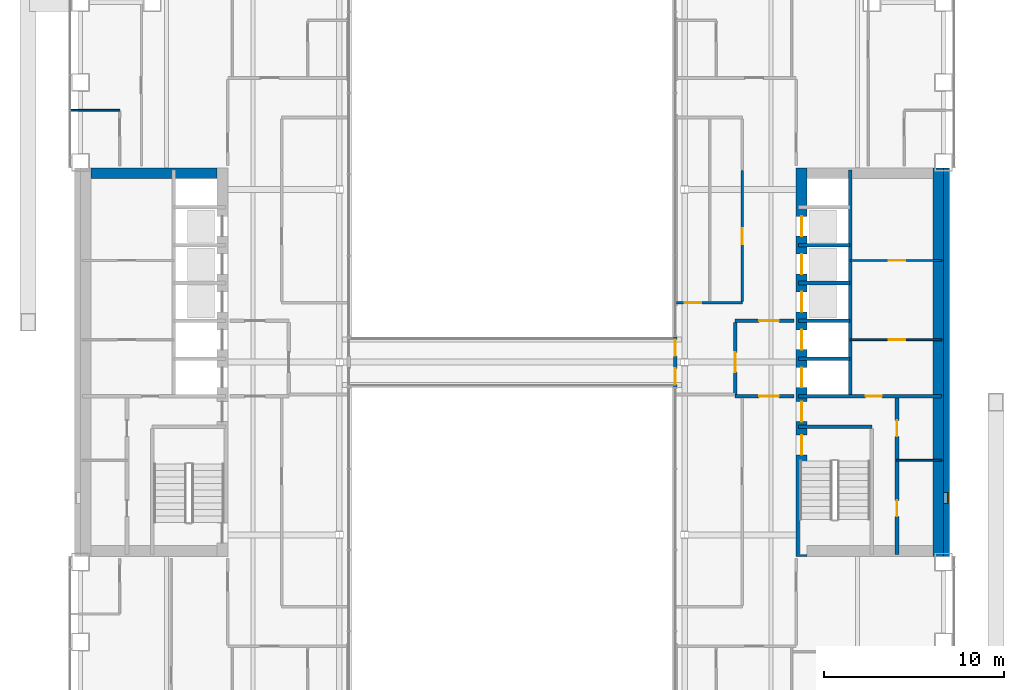
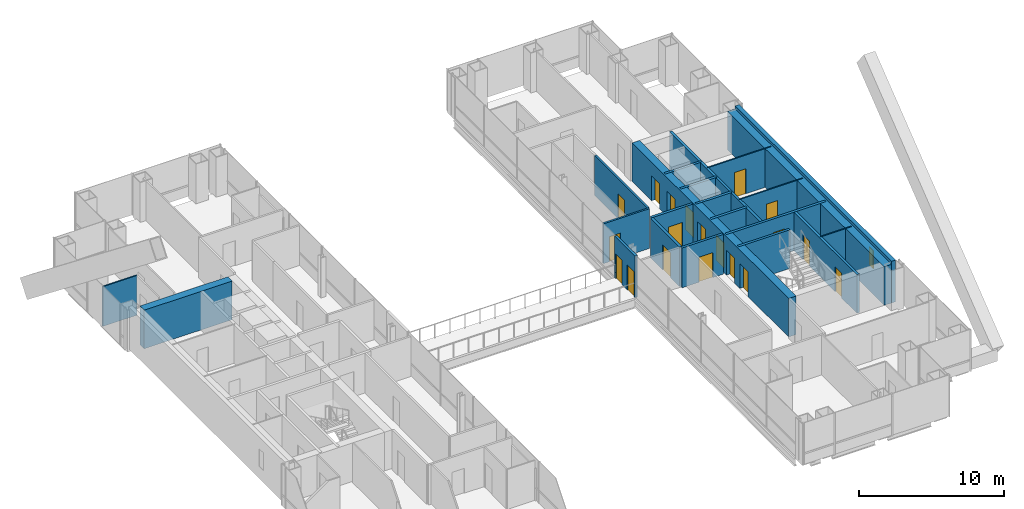
# One storey, part 16 of 19: 22 walls, 19 doors, 1 window, 20 openings.
"""IFC4 building model written with IfcOpenShell, lengths in metres."""

from ifc_helpers import new_model, si_unit, direction, frame, frame_2d, origin, place, context, subcontext, project, spatial, rectangle, extrude, material, layer, layer_set, type_object, element, fill, save


model = new_model("IFC4")

# Units and contexts
model_context = context("Model", 3, precision=1e-05, world=origin(), true_north=direction((0.0, 1.0)))
body_context = subcontext(model_context, "Body", "Model", "MODEL_VIEW")
ifc_project = project(units=[si_unit("LENGTHUNIT", "METRE"), si_unit("AREAUNIT", "SQUARE_METRE"), si_unit("VOLUMEUNIT", "CUBIC_METRE"), si_unit("PLANEANGLEUNIT", "RADIAN"), si_unit("MASSUNIT", "GRAM", prefix="KILO")], contexts=[model_context])

# Site, building, storey
site_placement = place(None, origin())
site = spatial("IfcSite", under=ifc_project, at=site_placement, CompositionType="ELEMENT")
building_placement = place(site_placement, origin())
building = spatial("IfcBuilding", under=site, at=building_placement, Name="Cobrizo Arcos Hotel Tower", CompositionType="ELEMENT")
storey_placement = place(building_placement, frame((0.0, 0.0, 70.5)))
storey = spatial("IfcBuildingStorey", under=building, at=storey_placement, Name="L16", CompositionType="ELEMENT", Elevation=70.5)

# Wall, opening, door
ifc_material_1 = material(Name="Gypsum board partition")
ifc_layer_1 = layer(ifc_material_1, 0.14990234375)
ifc_layer_set_1 = layer_set([ifc_layer_1], Name="Corridor wall EI 60 150")
wall_type_1 = type_object("IfcWallType", Name="Corridor wall EI 60 150", PredefinedType="PARTITIONING", material=ifc_layer_set_1)
wall_1_placement = place(storey_placement, frame((9.14990234375, 3.300048828125, 0.0), z_axis=(0.0, 0.0, 1.0), x_axis=(1.0, 0.0, 0.0)))
wall_1 = element("IfcWall", 1, at=wall_1_placement, inside=storey, type_object=wall_type_1, Name="Partition 029", PredefinedType="PARTITIONING", context=body_context, shape_type="SweptSolid", body=[
    extrude(rectangle(XDim=3.650146484375, YDim=0.14990234375, at=frame_2d((1.8251953125, 0.0))), origin(), (0.0, 0.0, 1.0), 3.35009765625),
])
opening_1_placement = place(wall_1_placement, frame((0.4619140625, 0.0, 0.0)))
opening_1 = element("IfcOpeningElement", 2, at=opening_1_placement, cuts=wall_1, Name="Opening ED-09", PredefinedType="OPENING", context=body_context, shape_type="SweptSolid", body=[
    extrude(rectangle(XDim=0.89990234375, YDim=2.10009765625, at=frame_2d((0.449951171875, 1.050048828125))), frame((0.0, 0.0869140625, 0.0), z_axis=(0.0, -1.0, 0.0), x_axis=(1.0, 0.0, 0.0)), (0.0, 0.0, 1.0), 0.173828125),
])
ifc_material_2 = material(Name="Timber door leaf", Category="wood")
door_type_1 = type_object("IfcDoorType", Name="En-suite door 900x2100", OperationType="SINGLE_SWING_LEFT", PredefinedType="DOOR", material=ifc_material_2)
door_1_placement = place(opening_1_placement, origin())
door_1 = element("IfcDoor", 3, at=door_1_placement, inside=storey, type_object=door_type_1, Name="Door ED-09", OperationType="SINGLE_SWING_LEFT", OverallHeight=2.10009765625, OverallWidth=0.89990234375, PredefinedType="DOOR", context=body_context, shape_type="SweptSolid", body=[
    extrude(rectangle(XDim=0.89990234375, YDim=2.10009765625, at=frame_2d((0.449951171875, 1.050048828125))), frame((0.0, 0.02490234375, 0.0), z_axis=(0.0, -1.0, 0.0), x_axis=(1.0, 0.0, 0.0)), (0.0, 0.0, 1.0), 0.050048828125),
])
fill(opening_1, door_1)

wall_2_placement = place(storey_placement, frame((12.800048828125, 3.375, 0.0), z_axis=(0.0, 0.0, 1.0), x_axis=(0.0, 1.0, 0.0)))
wall_2 = element("IfcWall", 4, at=wall_2_placement, inside=storey, type_object=wall_type_1, Name="Partition 073", PredefinedType="PARTITIONING", context=body_context, shape_type="SweptSolid", body=[
    extrude(rectangle(XDim=7.27490234375, YDim=0.14990234375, at=frame_2d((3.637451171875, 0.0))), origin(), (0.0, 0.0, 1.0), 3.35009765625),
])
opening_2_placement = place(wall_2_placement, frame((3.175048828125, 0.0, 0.0)))
opening_2 = element("IfcOpeningElement", 5, at=opening_2_placement, cuts=wall_2, Name="Opening ED-10", PredefinedType="OPENING", context=body_context, shape_type="SweptSolid", body=[
    extrude(rectangle(XDim=0.89990234375, YDim=2.10009765625, at=frame_2d((0.449951171875, 1.050048828125))), frame((0.0, 0.0869140625, 0.0), z_axis=(0.0, -1.0, 0.0), x_axis=(1.0, 0.0, 0.0)), (0.0, 0.0, 1.0), 0.173828125),
])
door_2_placement = place(opening_2_placement, origin())
door_2 = element("IfcDoor", 6, at=door_2_placement, inside=storey, type_object=door_type_1, Name="Door ED-10", OperationType="SINGLE_SWING_RIGHT", OverallHeight=2.10009765625, OverallWidth=0.89990234375, PredefinedType="DOOR", context=body_context, shape_type="SweptSolid", body=[
    extrude(rectangle(XDim=0.89990234375, YDim=2.10009765625, at=frame_2d((0.449951171875, 1.050048828125))), frame((0.0, 0.02490234375, 0.0), z_axis=(0.0, -1.0, 0.0), x_axis=(1.0, 0.0, 0.0)), (0.0, 0.0, 1.0), 0.050048828125),
])
fill(opening_2, door_2)

# Wall, opening, window
ifc_material_3 = material(Name="Aluminium composite panel pale metal", Category="aluminium")
ifc_layer_2 = layer(ifc_material_3, 0.324951171875)
ifc_layer_set_2 = layer_set([ifc_layer_2], Name="EW-1 insulated panel wall 325")
wall_type_2 = type_object("IfcWallType", Name="EW-1 insulated panel wall 325", PredefinedType="SOLIDWALL", material=ifc_layer_set_2)
wall_3_placement = place(storey_placement, frame((24.16259765625, -10.800048828125, 0.0), z_axis=(0.0, 0.0, 1.0), x_axis=(0.0, 1.0, 0.0)))
wall_3 = element("IfcWall", 7, at=wall_3_placement, inside=storey, type_object=wall_type_2, Name="Core face wall L16 E", PredefinedType="SOLIDWALL", context=body_context, shape_type="SweptSolid", body=[
    extrude(rectangle(XDim=21.60009765625, YDim=0.324951171875, at=frame_2d((10.800048828125, 0.0))), origin(), (0.0, 0.0, 1.0), 3.5),
])
opening_3_placement = place(wall_3_placement, frame((2.949951171875, 0.0, 1.0)))
opening_3 = element("IfcOpeningElement", 8, at=opening_3_placement, cuts=wall_3, Name="Opening W-27", PredefinedType="OPENING", context=body_context, shape_type="SweptSolid", body=[
    extrude(rectangle(XDim=0.60009765625, YDim=1.5, at=frame_2d((0.300048828125, 0.75))), frame((0.0, 0.174560546875, 0.0), z_axis=(0.0, -1.0, 0.0), x_axis=(1.0, 0.0, 0.0)), (0.0, 0.0, 1.0), 0.348876953125),
])
ifc_material_4 = material(Name="Aluminium 6063-T6 and clear laminated glass", Category="aluminium")
window_type = type_object("IfcWindowType", Name="W-C1 core stair slot window 600x1500", PartitioningType="SINGLE_PANEL", PredefinedType="WINDOW", material=ifc_material_4)
window_placement = place(opening_3_placement, origin())
window = element("IfcWindow", 9, at=window_placement, inside=storey, type_object=window_type, Name="Core face wall L16 E window W-27", OverallHeight=1.5, OverallWidth=0.60009765625, PartitioningType="SINGLE_PANEL", PredefinedType="WINDOW", context=body_context, shape_type="SweptSolid", body=[
    extrude(rectangle(XDim=0.60009765625, YDim=1.5, at=frame_2d((0.300048828125, 0.75))), frame((0.0, -0.072509765625, 0.0), z_axis=(0.0, -1.0, 0.0), x_axis=(1.0, 0.0, 0.0)), (0.0, 0.0, 1.0), 0.06005859375),
])
fill(opening_3, window)

# Wall, openings, doors
ifc_material_5 = material(Name="Aluminium 6063-T6 anodised pale", Category="aluminium")
ifc_layer_3 = layer(ifc_material_5, 0.199951171875)
ifc_layer_set_3 = layer_set([ifc_layer_3], Name="EW-4 sky bridge door frame wall")
wall_type_3 = type_object("IfcWallType", Name="EW-4 sky bridge door frame wall", PredefinedType="SOLIDWALL", material=ifc_layer_set_3)
wall_4_placement = place(storey_placement, frame((9.074951171875, -1.39990234375, 0.0), z_axis=(0.0, 0.0, 1.0), x_axis=(0.0, 1.0, 0.0)))
wall_4 = element("IfcWall", 10, at=wall_4_placement, inside=storey, type_object=wall_type_3, Name="Sky bridge door wall A E", PredefinedType="SOLIDWALL", context=body_context, shape_type="SweptSolid", body=[
    extrude(rectangle(XDim=2.7998046875, YDim=0.199951171875, at=frame_2d((1.39990234375, 0.0))), origin(), (0.0, 0.0, 1.0), 3.5),
])
opening_4_placement = place(wall_4_placement, frame((0.14990234375, 0.0, 0.0)))
opening_4 = element("IfcOpeningElement", 11, at=opening_4_placement, cuts=wall_4, Name="Opening E-28", PredefinedType="OPENING", context=body_context, shape_type="SweptSolid", body=[
    extrude(rectangle(XDim=0.89990234375, YDim=2.10009765625, at=frame_2d((0.449951171875, 1.050048828125))), frame((0.0, 0.112060546875, 0.0), z_axis=(0.0, -1.0, 0.0), x_axis=(1.0, 0.0, 0.0)), (0.0, 0.0, 1.0), 0.223876953125),
])
opening_5_placement = place(wall_4_placement, frame((1.75, 0.0, 0.0)))
opening_5 = element("IfcOpeningElement", 12, at=opening_5_placement, cuts=wall_4, Name="Opening E-29", PredefinedType="OPENING", context=body_context, shape_type="SweptSolid", body=[
    extrude(rectangle(XDim=0.89990234375, YDim=2.10009765625, at=frame_2d((0.449951171875, 1.050048828125))), frame((0.0, 0.112060546875, 0.0), z_axis=(0.0, -1.0, 0.0), x_axis=(1.0, 0.0, 0.0)), (0.0, 0.0, 1.0), 0.223876953125),
])
door_type_2 = type_object("IfcDoorType", Name="D-B2 sky bridge single door 900x2100", OperationType="SINGLE_SWING_LEFT", PredefinedType="DOOR", material=ifc_material_4)
door_3_placement = place(opening_4_placement, origin())
door_3 = element("IfcDoor", 13, at=door_3_placement, inside=storey, type_object=door_type_2, Name="Sky bridge door wall A E door E-28", OperationType="SINGLE_SWING_LEFT", OverallHeight=2.10009765625, OverallWidth=0.89990234375, PredefinedType="DOOR", context=body_context, shape_type="SweptSolid", body=[
    extrude(rectangle(XDim=0.89990234375, YDim=2.10009765625, at=frame_2d((0.449951171875, 1.050048828125))), frame((0.0, 0.02490234375, 0.0), z_axis=(0.0, -1.0, 0.0), x_axis=(1.0, 0.0, 0.0)), (0.0, 0.0, 1.0), 0.050048828125),
])
fill(opening_4, door_3)
door_4_placement = place(opening_5_placement, origin())
door_4 = element("IfcDoor", 14, at=door_4_placement, inside=storey, type_object=door_type_2, Name="Sky bridge door wall A E door E-29", OperationType="SINGLE_SWING_RIGHT", OverallHeight=2.10009765625, OverallWidth=0.89990234375, PredefinedType="DOOR", context=body_context, shape_type="SweptSolid", body=[
    extrude(rectangle(XDim=0.89990234375, YDim=2.10009765625, at=frame_2d((0.449951171875, 1.050048828125))), frame((0.0, 0.02490234375, 0.0), z_axis=(0.0, -1.0, 0.0), x_axis=(1.0, 0.0, 0.0)), (0.0, 0.0, 1.0), 0.050048828125),
])
fill(opening_5, door_4)

# Wall
ifc_layer_4 = layer(ifc_material_1, 0.10009765625)
ifc_layer_set_4 = layer_set([ifc_layer_4], Name="Partition EI 30 100")
wall_type_4 = type_object("IfcWallType", Name="Partition EI 30 100", PredefinedType="PARTITIONING", material=ifc_layer_set_4)
wall_5_placement = place(storey_placement, frame((21.39990234375, -5.449951171875, 0.0), z_axis=(0.0, 0.0, 1.0), x_axis=(1.0, 0.0, 0.0)))
element("IfcWall", 15, at=wall_5_placement, inside=storey, type_object=wall_type_4, Name="Partition 011", PredefinedType="PARTITIONING", context=body_context, shape_type="SweptSolid", body=[
    extrude(rectangle(XDim=2.47998046875, YDim=0.10009765625, at=frame_2d((1.239990234375, 0.0))), origin(), (0.0, 0.0, 1.0), 3.25),
])

# Wall, opening, door
wall_6_placement = place(storey_placement, frame((18.800048828125, 1.25, 0.0), z_axis=(0.0, 0.0, 1.0), x_axis=(1.0, 0.0, 0.0)))
wall_6 = element("IfcWall", 16, at=wall_6_placement, inside=storey, type_object=wall_type_4, Name="Partition 023", PredefinedType="PARTITIONING", context=body_context, shape_type="SweptSolid", body=[
    extrude(rectangle(XDim=5.079833984375, YDim=0.10009765625, at=frame_2d((2.5400390625, 0.0))), origin(), (0.0, 0.0, 1.0), 3.25),
])
opening_6_placement = place(wall_6_placement, frame((2.14990234375, 0.0, 0.0)))
opening_6 = element("IfcOpeningElement", 17, at=opening_6_placement, cuts=wall_6, Name="Opening RD-09", PredefinedType="OPENING", context=body_context, shape_type="SweptSolid", body=[
    extrude(rectangle(XDim=0.89990234375, YDim=2.10009765625, at=frame_2d((0.449951171875, 1.050048828125))), frame((0.0, 0.06201171875, 0.0), z_axis=(0.0, -1.0, 0.0), x_axis=(1.0, 0.0, 0.0)), (0.0, 0.0, 1.0), 0.1240234375),
])
door_type_3 = type_object("IfcDoorType", Name="Room door FD30 900x2100", OperationType="SINGLE_SWING_LEFT", PredefinedType="DOOR", material=ifc_material_2)
door_5_placement = place(opening_6_placement, origin())
door_5 = element("IfcDoor", 18, at=door_5_placement, inside=storey, type_object=door_type_3, Name="Door RD-09", OperationType="SINGLE_SWING_RIGHT", OverallHeight=2.10009765625, OverallWidth=0.89990234375, PredefinedType="DOOR", context=body_context, shape_type="SweptSolid", body=[
    extrude(rectangle(XDim=0.89990234375, YDim=2.10009765625, at=frame_2d((0.449951171875, 1.050048828125))), frame((0.0, 0.02490234375, 0.0), z_axis=(0.0, -1.0, 0.0), x_axis=(1.0, 0.0, 0.0)), (0.0, 0.0, 1.0), 0.050048828125),
])
fill(opening_6, door_5)

wall_7_placement = place(storey_placement, frame((18.800048828125, 5.64990234375, 0.0), z_axis=(0.0, 0.0, 1.0), x_axis=(1.0, 0.0, 0.0)))
wall_7 = element("IfcWall", 19, at=wall_7_placement, inside=storey, type_object=wall_type_4, Name="Partition 033", PredefinedType="PARTITIONING", context=body_context, shape_type="SweptSolid", body=[
    extrude(rectangle(XDim=5.079833984375, YDim=0.10009765625, at=frame_2d((2.5400390625, 0.0))), origin(), (0.0, 0.0, 1.0), 3.25),
])
opening_7_placement = place(wall_7_placement, frame((2.14990234375, 0.0, 0.0)))
opening_7 = element("IfcOpeningElement", 20, at=opening_7_placement, cuts=wall_7, Name="Opening RD-10", PredefinedType="OPENING", context=body_context, shape_type="SweptSolid", body=[
    extrude(rectangle(XDim=0.89990234375, YDim=2.10009765625, at=frame_2d((0.449951171875, 1.050048828125))), frame((0.0, 0.06201171875, 0.0), z_axis=(0.0, -1.0, 0.0), x_axis=(1.0, 0.0, 0.0)), (0.0, 0.0, 1.0), 0.1240234375),
])
door_6_placement = place(opening_7_placement, origin())
door_6 = element("IfcDoor", 21, at=door_6_placement, inside=storey, type_object=door_type_3, Name="Door RD-10", OperationType="SINGLE_SWING_LEFT", OverallHeight=2.10009765625, OverallWidth=0.89990234375, PredefinedType="DOOR", context=body_context, shape_type="SweptSolid", body=[
    extrude(rectangle(XDim=0.89990234375, YDim=2.10009765625, at=frame_2d((0.449951171875, 1.050048828125))), frame((0.0, 0.02490234375, 0.0), z_axis=(0.0, -1.0, 0.0), x_axis=(1.0, 0.0, 0.0)), (0.0, 0.0, 1.0), 0.050048828125),
])
fill(opening_7, door_6)

# Wall
wall_8_placement = place(storey_placement, frame((-24.530029296875, 14.0, 0.0), z_axis=(0.0, 0.0, 1.0), x_axis=(1.0, 0.0, 0.0)))
element("IfcWall", 22, at=wall_8_placement, inside=storey, type_object=wall_type_4, Name="Partition 040", PredefinedType="PARTITIONING", context=body_context, shape_type="SweptSolid", body=[
    extrude(rectangle(XDim=2.72998046875, YDim=0.10009765625, at=frame_2d((1.364990234375, 0.0))), origin(), (0.0, 0.0, 1.0), 3.35009765625),
])

# Wall, openings, doors
ifc_material_6 = material(Name="Concrete f'c 60 MPa", Category="concrete")
ifc_layer_5 = layer(ifc_material_6, 0.60009765625)
ifc_layer_set_5 = layer_set([ifc_layer_5], Name="RC core wall 600 f'c 60")
wall_type_5 = type_object("IfcWallType", Name="RC core wall 600 f'c 60", PredefinedType="SHEAR", material=ifc_layer_set_5)
wall_9_placement = place(storey_placement, frame((16.10009765625, -10.800048828125, 0.0), z_axis=(0.0, 0.0, 1.0), x_axis=(0.0, 1.0, 0.0)))
wall_9 = element("IfcWall", 23, at=wall_9_placement, inside=storey, type_object=wall_type_5, Name="Core wall CW1, east core, inner face, L16", PredefinedType="SHEAR", context=body_context, shape_type="SweptSolid", body=[
    extrude(rectangle(XDim=21.60009765625, YDim=0.60009765625, at=frame_2d((10.800048828125, 0.0))), origin(), (0.0, 0.0, 1.0), 3.25),
])
opening_8_placement = place(wall_9_placement, frame((9.39990234375, 0.0, 0.0)))
opening_8 = element("IfcOpeningElement", 24, at=opening_8_placement, cuts=wall_9, Name="Opening LD-06", PredefinedType="OPENING", context=body_context, shape_type="SweptSolid", body=[
    extrude(rectangle(XDim=1.10009765625, YDim=2.10009765625, at=frame_2d((0.550048828125, 1.050048828125))), frame((0.0, 0.31201171875, 0.0), z_axis=(0.0, -1.0, 0.0), x_axis=(1.0, 0.0, 0.0)), (0.0, 0.0, 1.0), 0.6240234375),
])
opening_9_placement = place(wall_9_placement, frame((11.5, 0.0, 0.0)))
opening_9 = element("IfcOpeningElement", 25, at=opening_9_placement, cuts=wall_9, Name="Opening LD-07", PredefinedType="OPENING", context=body_context, shape_type="SweptSolid", body=[
    extrude(rectangle(XDim=1.10009765625, YDim=2.10009765625, at=frame_2d((0.550048828125, 1.050048828125))), frame((0.0, 0.31201171875, 0.0), z_axis=(0.0, -1.0, 0.0), x_axis=(1.0, 0.0, 0.0)), (0.0, 0.0, 1.0), 0.6240234375),
])
opening_10_placement = place(wall_9_placement, frame((13.60009765625, 0.0, 0.0)))
opening_10 = element("IfcOpeningElement", 26, at=opening_10_placement, cuts=wall_9, Name="Opening LD-08", PredefinedType="OPENING", context=body_context, shape_type="SweptSolid", body=[
    extrude(rectangle(XDim=1.10009765625, YDim=2.10009765625, at=frame_2d((0.550048828125, 1.050048828125))), frame((0.0, 0.31201171875, 0.0), z_axis=(0.0, -1.0, 0.0), x_axis=(1.0, 0.0, 0.0)), (0.0, 0.0, 1.0), 0.6240234375),
])
opening_11_placement = place(wall_9_placement, frame((15.699951171875, 0.0, 0.0)))
opening_11 = element("IfcOpeningElement", 27, at=opening_11_placement, cuts=wall_9, Name="Opening LD-09", PredefinedType="OPENING", context=body_context, shape_type="SweptSolid", body=[
    extrude(rectangle(XDim=1.10009765625, YDim=2.10009765625, at=frame_2d((0.550048828125, 1.050048828125))), frame((0.0, 0.31201171875, 0.0), z_axis=(0.0, -1.0, 0.0), x_axis=(1.0, 0.0, 0.0)), (0.0, 0.0, 1.0), 0.6240234375),
])
opening_12_placement = place(wall_9_placement, frame((17.800048828125, 0.0, 0.0)))
opening_12 = element("IfcOpeningElement", 28, at=opening_12_placement, cuts=wall_9, Name="Opening LD-10", PredefinedType="OPENING", context=body_context, shape_type="SweptSolid", body=[
    extrude(rectangle(XDim=1.10009765625, YDim=2.10009765625, at=frame_2d((0.550048828125, 1.050048828125))), frame((0.0, 0.31201171875, 0.0), z_axis=(0.0, -1.0, 0.0), x_axis=(1.0, 0.0, 0.0)), (0.0, 0.0, 1.0), 0.6240234375),
])
opening_13_placement = place(wall_9_placement, frame((5.64208984375, 0.0, 0.0)))
opening_13 = element("IfcOpeningElement", 29, at=opening_13_placement, cuts=wall_9, Name="Opening SD-02", PredefinedType="OPENING", context=body_context, shape_type="SweptSolid", body=[
    extrude(rectangle(XDim=1.10009765625, YDim=2.10009765625, at=frame_2d((0.550048828125, 1.050048828125))), frame((0.0, 0.31201171875, 0.0), z_axis=(0.0, -1.0, 0.0), x_axis=(1.0, 0.0, 0.0)), (0.0, 0.0, 1.0), 0.6240234375),
])
opening_14_placement = place(wall_9_placement, frame((7.5, 0.0, 0.0)))
opening_14 = element("IfcOpeningElement", 30, at=opening_14_placement, cuts=wall_9, Name="Opening FD-05", PredefinedType="OPENING", context=body_context, shape_type="SweptSolid", body=[
    extrude(rectangle(XDim=1.10009765625, YDim=2.10009765625, at=frame_2d((0.550048828125, 1.050048828125))), frame((0.0, 0.31201171875, 0.0), z_axis=(0.0, -1.0, 0.0), x_axis=(1.0, 0.0, 0.0)), (0.0, 0.0, 1.0), 0.6240234375),
])
ifc_material_7 = material(Name="Steel door leaf", Category="steel")
door_type_4 = type_object("IfcDoorType", Name="Fire door FD60 1100x2100", OperationType="SINGLE_SWING_LEFT", PredefinedType="DOOR", material=ifc_material_7)
door_7_placement = place(opening_14_placement, origin())
door_7 = element("IfcDoor", 31, at=door_7_placement, inside=storey, type_object=door_type_4, Name="Door FD-05", OperationType="SINGLE_SWING_RIGHT", OverallHeight=2.10009765625, OverallWidth=1.10009765625, PredefinedType="DOOR", context=body_context, shape_type="SweptSolid", body=[
    extrude(rectangle(XDim=1.10009765625, YDim=2.10009765625, at=frame_2d((0.550048828125, 1.050048828125))), frame((0.0, 0.02490234375, 0.0), z_axis=(0.0, -1.0, 0.0), x_axis=(1.0, 0.0, 0.0)), (0.0, 0.0, 1.0), 0.050048828125),
])
fill(opening_14, door_7)
door_type_5 = type_object("IfcDoorType", Name="Lift landing door 1100x2100", OperationType="SLIDING_TO_LEFT", PredefinedType="DOOR", material=ifc_material_7)
door_8_placement = place(opening_8_placement, origin())
door_8 = element("IfcDoor", 32, at=door_8_placement, inside=storey, type_object=door_type_5, Name="Lift landing door LD-06", OperationType="SLIDING_TO_LEFT", OverallHeight=2.10009765625, OverallWidth=1.10009765625, PredefinedType="DOOR", context=body_context, shape_type="SweptSolid", body=[
    extrude(rectangle(XDim=1.10009765625, YDim=2.10009765625, at=frame_2d((0.550048828125, 1.050048828125))), frame((0.0, 0.02490234375, 0.0), z_axis=(0.0, -1.0, 0.0), x_axis=(1.0, 0.0, 0.0)), (0.0, 0.0, 1.0), 0.050048828125),
])
fill(opening_8, door_8)
door_9_placement = place(opening_9_placement, origin())
door_9 = element("IfcDoor", 33, at=door_9_placement, inside=storey, type_object=door_type_5, Name="Lift landing door LD-07", OperationType="SLIDING_TO_LEFT", OverallHeight=2.10009765625, OverallWidth=1.10009765625, PredefinedType="DOOR", context=body_context, shape_type="SweptSolid", body=[
    extrude(rectangle(XDim=1.10009765625, YDim=2.10009765625, at=frame_2d((0.550048828125, 1.050048828125))), frame((0.0, 0.02490234375, 0.0), z_axis=(0.0, -1.0, 0.0), x_axis=(1.0, 0.0, 0.0)), (0.0, 0.0, 1.0), 0.050048828125),
])
fill(opening_9, door_9)
door_10_placement = place(opening_10_placement, origin())
door_10 = element("IfcDoor", 34, at=door_10_placement, inside=storey, type_object=door_type_5, Name="Lift landing door LD-08", OperationType="SLIDING_TO_LEFT", OverallHeight=2.10009765625, OverallWidth=1.10009765625, PredefinedType="DOOR", context=body_context, shape_type="SweptSolid", body=[
    extrude(rectangle(XDim=1.10009765625, YDim=2.10009765625, at=frame_2d((0.550048828125, 1.050048828125))), frame((0.0, 0.02490234375, 0.0), z_axis=(0.0, -1.0, 0.0), x_axis=(1.0, 0.0, 0.0)), (0.0, 0.0, 1.0), 0.050048828125),
])
fill(opening_10, door_10)
door_11_placement = place(opening_11_placement, origin())
door_11 = element("IfcDoor", 35, at=door_11_placement, inside=storey, type_object=door_type_5, Name="Lift landing door LD-09", OperationType="SLIDING_TO_LEFT", OverallHeight=2.10009765625, OverallWidth=1.10009765625, PredefinedType="DOOR", context=body_context, shape_type="SweptSolid", body=[
    extrude(rectangle(XDim=1.10009765625, YDim=2.10009765625, at=frame_2d((0.550048828125, 1.050048828125))), frame((0.0, 0.02490234375, 0.0), z_axis=(0.0, -1.0, 0.0), x_axis=(1.0, 0.0, 0.0)), (0.0, 0.0, 1.0), 0.050048828125),
])
fill(opening_11, door_11)
door_12_placement = place(opening_12_placement, origin())
door_12 = element("IfcDoor", 36, at=door_12_placement, inside=storey, type_object=door_type_5, Name="Lift landing door LD-10", OperationType="SLIDING_TO_LEFT", OverallHeight=2.10009765625, OverallWidth=1.10009765625, PredefinedType="DOOR", context=body_context, shape_type="SweptSolid", body=[
    extrude(rectangle(XDim=1.10009765625, YDim=2.10009765625, at=frame_2d((0.550048828125, 1.050048828125))), frame((0.0, 0.02490234375, 0.0), z_axis=(0.0, -1.0, 0.0), x_axis=(1.0, 0.0, 0.0)), (0.0, 0.0, 1.0), 0.050048828125),
])
fill(opening_12, door_12)
door_type_6 = type_object("IfcDoorType", Name="Stair door FD60S 1100x2100", OperationType="SINGLE_SWING_LEFT", PredefinedType="DOOR", material=ifc_material_7)
door_13_placement = place(opening_13_placement, origin())
door_13 = element("IfcDoor", 37, at=door_13_placement, inside=storey, type_object=door_type_6, Name="Door SD-02", OperationType="SINGLE_SWING_LEFT", OverallHeight=2.10009765625, OverallWidth=1.10009765625, PredefinedType="DOOR", context=body_context, shape_type="SweptSolid", body=[
    extrude(rectangle(XDim=1.10009765625, YDim=2.10009765625, at=frame_2d((0.550048828125, 1.050048828125))), frame((0.0, 0.02490234375, 0.0), z_axis=(0.0, -1.0, 0.0), x_axis=(1.0, 0.0, 0.0)), (0.0, 0.0, 1.0), 0.050048828125),
])
fill(opening_13, door_13)

# Walls
wall_10_placement = place(storey_placement, frame((23.699951171875, -10.800048828125, 0.0), z_axis=(0.0, 0.0, 1.0), x_axis=(0.0, 1.0, 0.0)))
element("IfcWall", 38, at=wall_10_placement, inside=storey, type_object=wall_type_5, Name="Core wall CW1, east core, outer face, L16", PredefinedType="SHEAR", context=body_context, shape_type="SweptSolid", body=[
    extrude(rectangle(XDim=21.60009765625, YDim=0.60009765625, at=frame_2d((10.800048828125, 0.0))), origin(), (0.0, 0.0, 1.0), 3.25),
])
wall_11_placement = place(storey_placement, frame((-23.39990234375, 10.5, 0.0), z_axis=(0.0, 0.0, 1.0), x_axis=(1.0, 0.0, 0.0)))
element("IfcWall", 39, at=wall_11_placement, inside=storey, type_object=wall_type_5, Name="Core wall CW1, west core, north end, L16", PredefinedType="SHEAR", context=body_context, shape_type="SweptSolid", body=[
    extrude(rectangle(XDim=7.0, YDim=0.60009765625, at=frame_2d((3.5, 0.0))), origin(), (0.0, 0.0, 1.0), 3.25),
])

# Wall, opening, door
ifc_layer_6 = layer(ifc_material_1, 0.199951171875)
ifc_layer_set_6 = layer_set([ifc_layer_6], Name="Shaft wall EI 120 200")
wall_type_6 = type_object("IfcWallType", Name="Shaft wall EI 120 200", PredefinedType="PARTITIONING", material=ifc_layer_set_6)
wall_12_placement = place(storey_placement, frame((12.39990234375, -1.89990234375, 0.0), z_axis=(0.0, 0.0, 1.0), x_axis=(1.0, 0.0, 0.0)))
wall_12 = element("IfcWall", 40, at=wall_12_placement, inside=storey, type_object=wall_type_6, Name="Partition 016", PredefinedType="PARTITIONING", context=body_context, shape_type="SweptSolid", body=[
    extrude(rectangle(XDim=3.280029296875, YDim=0.199951171875, at=frame_2d((1.64013671875, 0.0))), origin(), (0.0, 0.0, 1.0), 3.35009765625),
])
opening_15_placement = place(wall_12_placement, frame((1.340087890625, 0.0, 0.0)))
opening_15 = element("IfcOpeningElement", 41, at=opening_15_placement, cuts=wall_12, Name="Opening FD-07", PredefinedType="OPENING", context=body_context, shape_type="SweptSolid", body=[
    extrude(rectangle(XDim=1.10009765625, YDim=2.10009765625, at=frame_2d((0.550048828125, 1.050048828125))), frame((0.0, 0.112060546875, 0.0), z_axis=(0.0, -1.0, 0.0), x_axis=(1.0, 0.0, 0.0)), (0.0, 0.0, 1.0), 0.223876953125),
])
door_14_placement = place(opening_15_placement, origin())
door_14 = element("IfcDoor", 42, at=door_14_placement, inside=storey, type_object=door_type_4, Name="Door FD-07", OperationType="SINGLE_SWING_RIGHT", OverallHeight=2.10009765625, OverallWidth=1.10009765625, PredefinedType="DOOR", context=body_context, shape_type="SweptSolid", body=[
    extrude(rectangle(XDim=1.10009765625, YDim=2.10009765625, at=frame_2d((0.550048828125, 1.050048828125))), frame((0.0, 0.02490234375, 0.0), z_axis=(0.0, -1.0, 0.0), x_axis=(1.0, 0.0, 0.0)), (0.0, 0.0, 1.0), 0.050048828125),
])
fill(opening_15, door_14)

wall_13_placement = place(storey_placement, frame((15.919921875, -1.89990234375, 0.0), z_axis=(0.0, 0.0, 1.0), x_axis=(1.0, 0.0, 0.0)))
wall_13 = element("IfcWall", 43, at=wall_13_placement, inside=storey, type_object=wall_type_6, Name="Partition 017", PredefinedType="PARTITIONING", context=body_context, shape_type="SweptSolid", body=[
    extrude(rectangle(XDim=7.9599609375, YDim=0.199951171875, at=frame_2d((3.97998046875, 0.0))), origin(), (0.0, 0.0, 1.0), 3.25),
])
opening_16_placement = place(wall_13_placement, frame((3.739990234375, 0.0, 0.0)))
opening_16 = element("IfcOpeningElement", 44, at=opening_16_placement, cuts=wall_13, Name="Opening RD-08", PredefinedType="OPENING", context=body_context, shape_type="SweptSolid", body=[
    extrude(rectangle(XDim=0.89990234375, YDim=2.10009765625, at=frame_2d((0.449951171875, 1.050048828125))), frame((0.0, 0.112060546875, 0.0), z_axis=(0.0, -1.0, 0.0), x_axis=(1.0, 0.0, 0.0)), (0.0, 0.0, 1.0), 0.223876953125),
])
door_15_placement = place(opening_16_placement, origin())
door_15 = element("IfcDoor", 45, at=door_15_placement, inside=storey, type_object=door_type_3, Name="Door RD-08", OperationType="SINGLE_SWING_LEFT", OverallHeight=2.10009765625, OverallWidth=0.89990234375, PredefinedType="DOOR", context=body_context, shape_type="SweptSolid", body=[
    extrude(rectangle(XDim=0.89990234375, YDim=2.10009765625, at=frame_2d((0.449951171875, 1.050048828125))), frame((0.0, 0.02490234375, 0.0), z_axis=(0.0, -1.0, 0.0), x_axis=(1.0, 0.0, 0.0)), (0.0, 0.0, 1.0), 0.050048828125),
])
fill(opening_16, door_15)

# Wall
wall_14_placement = place(storey_placement, frame((15.919921875, 0.199951171875, 0.0), z_axis=(0.0, 0.0, 1.0), x_axis=(1.0, 0.0, 0.0)))
element("IfcWall", 46, at=wall_14_placement, inside=storey, type_object=wall_type_6, Name="Partition 021", PredefinedType="PARTITIONING", context=body_context, shape_type="SweptSolid", body=[
    extrude(rectangle(XDim=2.880126953125, YDim=0.199951171875, at=frame_2d((1.43994140625, 0.0))), origin(), (0.0, 0.0, 1.0), 3.25),
])

# Wall, opening, door
wall_15_placement = place(storey_placement, frame((12.39990234375, 2.300048828125, 0.0), z_axis=(0.0, 0.0, 1.0), x_axis=(1.0, 0.0, 0.0)))
wall_15 = element("IfcWall", 47, at=wall_15_placement, inside=storey, type_object=wall_type_6, Name="Partition 026", PredefinedType="PARTITIONING", context=body_context, shape_type="SweptSolid", body=[
    extrude(rectangle(XDim=3.280029296875, YDim=0.199951171875, at=frame_2d((1.64013671875, 0.0))), origin(), (0.0, 0.0, 1.0), 3.35009765625),
])
opening_17_placement = place(wall_15_placement, frame((1.340087890625, 0.0, 0.0)))
opening_17 = element("IfcOpeningElement", 48, at=opening_17_placement, cuts=wall_15, Name="Opening FD-08", PredefinedType="OPENING", context=body_context, shape_type="SweptSolid", body=[
    extrude(rectangle(XDim=1.10009765625, YDim=2.10009765625, at=frame_2d((0.550048828125, 1.050048828125))), frame((0.0, 0.112060546875, 0.0), z_axis=(0.0, -1.0, 0.0), x_axis=(1.0, 0.0, 0.0)), (0.0, 0.0, 1.0), 0.223876953125),
])
door_16_placement = place(opening_17_placement, origin())
door_16 = element("IfcDoor", 49, at=door_16_placement, inside=storey, type_object=door_type_4, Name="Door FD-08", OperationType="SINGLE_SWING_RIGHT", OverallHeight=2.10009765625, OverallWidth=1.10009765625, PredefinedType="DOOR", context=body_context, shape_type="SweptSolid", body=[
    extrude(rectangle(XDim=1.10009765625, YDim=2.10009765625, at=frame_2d((0.550048828125, 1.050048828125))), frame((0.0, 0.02490234375, 0.0), z_axis=(0.0, -1.0, 0.0), x_axis=(1.0, 0.0, 0.0)), (0.0, 0.0, 1.0), 0.050048828125),
])
fill(opening_17, door_16)

# Walls
for number, where, z_axis, x_axis, name in (
    (50, (15.919921875, 2.300048828125, 0.0), (0.0, 0.0, 1.0), (1.0, 0.0, 0.0), "Partition 027"),
    (51, (15.919921875, 4.39990234375, 0.0), (0.0, 0.0, 1.0), (1.0, 0.0, 0.0), "Partition 031"),
    (52, (15.919921875, 6.5, 0.0), (0.0, 0.0, 1.0), (1.0, 0.0, 0.0), "Partition 035"),
):
    element("IfcWall", number, at=place(storey_placement, frame(where, z_axis=z_axis, x_axis=x_axis)), inside=storey, type_object=wall_type_6, Name=name, PredefinedType="PARTITIONING", context=body_context, shape_type="SweptSolid", body=[
        extrude(rectangle(XDim=2.880126953125, YDim=0.199951171875, at=frame_2d((1.43994140625, 0.0))), origin(), (0.0, 0.0, 1.0), 3.25),
    ])

# Wall, opening, door
wall_16_placement = place(storey_placement, frame((12.39990234375, -1.800048828125, 0.0), z_axis=(0.0, 0.0, 1.0), x_axis=(0.0, 1.0, 0.0)))
wall_16 = element("IfcWall", 53, at=wall_16_placement, inside=storey, type_object=wall_type_6, Name="Partition 071", PredefinedType="PARTITIONING", context=body_context, shape_type="SweptSolid", body=[
    extrude(rectangle(XDim=4.0, YDim=0.199951171875, at=frame_2d((2.0, 0.0))), origin(), (0.0, 0.0, 1.0), 3.35009765625),
])
opening_18_placement = place(wall_16_placement, frame((1.25, 0.0, 0.0)))
opening_18 = element("IfcOpeningElement", 54, at=opening_18_placement, cuts=wall_16, Name="Opening FD-06", PredefinedType="OPENING", context=body_context, shape_type="SweptSolid", body=[
    extrude(rectangle(XDim=1.10009765625, YDim=2.10009765625, at=frame_2d((0.550048828125, 1.050048828125))), frame((0.0, 0.112060546875, 0.0), z_axis=(0.0, -1.0, 0.0), x_axis=(1.0, 0.0, 0.0)), (0.0, 0.0, 1.0), 0.223876953125),
])
door_17_placement = place(opening_18_placement, origin())
door_17 = element("IfcDoor", 55, at=door_17_placement, inside=storey, type_object=door_type_4, Name="Door FD-06", OperationType="SINGLE_SWING_RIGHT", OverallHeight=2.10009765625, OverallWidth=1.10009765625, PredefinedType="DOOR", context=body_context, shape_type="SweptSolid", body=[
    extrude(rectangle(XDim=1.10009765625, YDim=2.10009765625, at=frame_2d((0.550048828125, 1.050048828125))), frame((0.0, 0.02490234375, 0.0), z_axis=(0.0, -1.0, 0.0), x_axis=(1.0, 0.0, 0.0)), (0.0, 0.0, 1.0), 0.050048828125),
])
fill(opening_18, door_17)

# Wall
wall_17_placement = place(storey_placement, frame((18.800048828125, -1.800048828125, 0.0), z_axis=(0.0, 0.0, 1.0), x_axis=(0.0, 1.0, 0.0)))
element("IfcWall", 56, at=wall_17_placement, inside=storey, type_object=wall_type_6, Name="Partition 080", PredefinedType="PARTITIONING", context=body_context, shape_type="SweptSolid", body=[
    extrude(rectangle(XDim=12.47998046875, YDim=0.199951171875, at=frame_2d((6.239990234375, 0.0))), origin(), (0.0, 0.0, 1.0), 3.25),
])

# Wall, openings, doors
wall_18_placement = place(storey_placement, frame((21.39990234375, -10.679931640625, 0.0), z_axis=(0.0, 0.0, 1.0), x_axis=(0.0, 1.0, 0.0)))
wall_18 = element("IfcWall", 57, at=wall_18_placement, inside=storey, type_object=wall_type_6, Name="Partition 083", PredefinedType="PARTITIONING", context=body_context, shape_type="SweptSolid", body=[
    extrude(rectangle(XDim=8.679931640625, YDim=0.199951171875, at=frame_2d((4.33984375, 0.0))), origin(), (0.0, 0.0, 1.0), 3.25),
])
opening_19_placement = place(wall_18_placement, frame((2.10009765625, 0.0, 0.0)))
opening_19 = element("IfcOpeningElement", 58, at=opening_19_placement, cuts=wall_18, Name="Opening RD-06", PredefinedType="OPENING", context=body_context, shape_type="SweptSolid", body=[
    extrude(rectangle(XDim=0.89990234375, YDim=2.10009765625, at=frame_2d((0.449951171875, 1.050048828125))), frame((0.0, 0.112060546875, 0.0), z_axis=(0.0, -1.0, 0.0), x_axis=(1.0, 0.0, 0.0)), (0.0, 0.0, 1.0), 0.223876953125),
])
opening_20_placement = place(wall_18_placement, frame((6.550048828125, 0.0, 0.0)))
opening_20 = element("IfcOpeningElement", 59, at=opening_20_placement, cuts=wall_18, Name="Opening RD-07", PredefinedType="OPENING", context=body_context, shape_type="SweptSolid", body=[
    extrude(rectangle(XDim=0.89990234375, YDim=2.10009765625, at=frame_2d((0.449951171875, 1.050048828125))), frame((0.0, 0.112060546875, 0.0), z_axis=(0.0, -1.0, 0.0), x_axis=(1.0, 0.0, 0.0)), (0.0, 0.0, 1.0), 0.223876953125),
])
door_18_placement = place(opening_19_placement, origin())
door_18 = element("IfcDoor", 60, at=door_18_placement, inside=storey, type_object=door_type_3, Name="Door RD-06", OperationType="SINGLE_SWING_LEFT", OverallHeight=2.10009765625, OverallWidth=0.89990234375, PredefinedType="DOOR", context=body_context, shape_type="SweptSolid", body=[
    extrude(rectangle(XDim=0.89990234375, YDim=2.10009765625, at=frame_2d((0.449951171875, 1.050048828125))), frame((0.0, 0.02490234375, 0.0), z_axis=(0.0, -1.0, 0.0), x_axis=(1.0, 0.0, 0.0)), (0.0, 0.0, 1.0), 0.050048828125),
])
fill(opening_19, door_18)
door_19_placement = place(opening_20_placement, origin())
door_19 = element("IfcDoor", 61, at=door_19_placement, inside=storey, type_object=door_type_3, Name="Door RD-07", OperationType="SINGLE_SWING_RIGHT", OverallHeight=2.10009765625, OverallWidth=0.89990234375, PredefinedType="DOOR", context=body_context, shape_type="SweptSolid", body=[
    extrude(rectangle(XDim=0.89990234375, YDim=2.10009765625, at=frame_2d((0.449951171875, 1.050048828125))), frame((0.0, 0.02490234375, 0.0), z_axis=(0.0, -1.0, 0.0), x_axis=(1.0, 0.0, 0.0)), (0.0, 0.0, 1.0), 0.050048828125),
])
fill(opening_20, door_19)

# Wall
ifc_material_8 = material(Name="Concrete f'c 40 MPa", Category="concrete")
ifc_layer_7 = layer(ifc_material_8, 0.199951171875)
ifc_layer_set_7 = layer_set([ifc_layer_7], Name="Stair shaft wall 200")
wall_type_7 = type_object("IfcWallType", Name="Stair shaft wall 200", PredefinedType="SHEAR", material=ifc_layer_set_7)
wall_19_placement = place(storey_placement, frame((15.919921875, -3.60009765625, 0.0), z_axis=(0.0, 0.0, 1.0), x_axis=(1.0, 0.0, 0.0)))
element("IfcWall", 62, at=wall_19_placement, inside=storey, type_object=wall_type_7, Name="Stair shaft wall E", PredefinedType="SHEAR", context=body_context, shape_type="SweptSolid", body=[
    extrude(rectangle(XDim=4.080078125, YDim=0.199951171875, at=frame_2d((2.0400390625, 0.0))), origin(), (0.0, 0.0, 1.0), 3.25),
])

save(model, "model.ifc")
